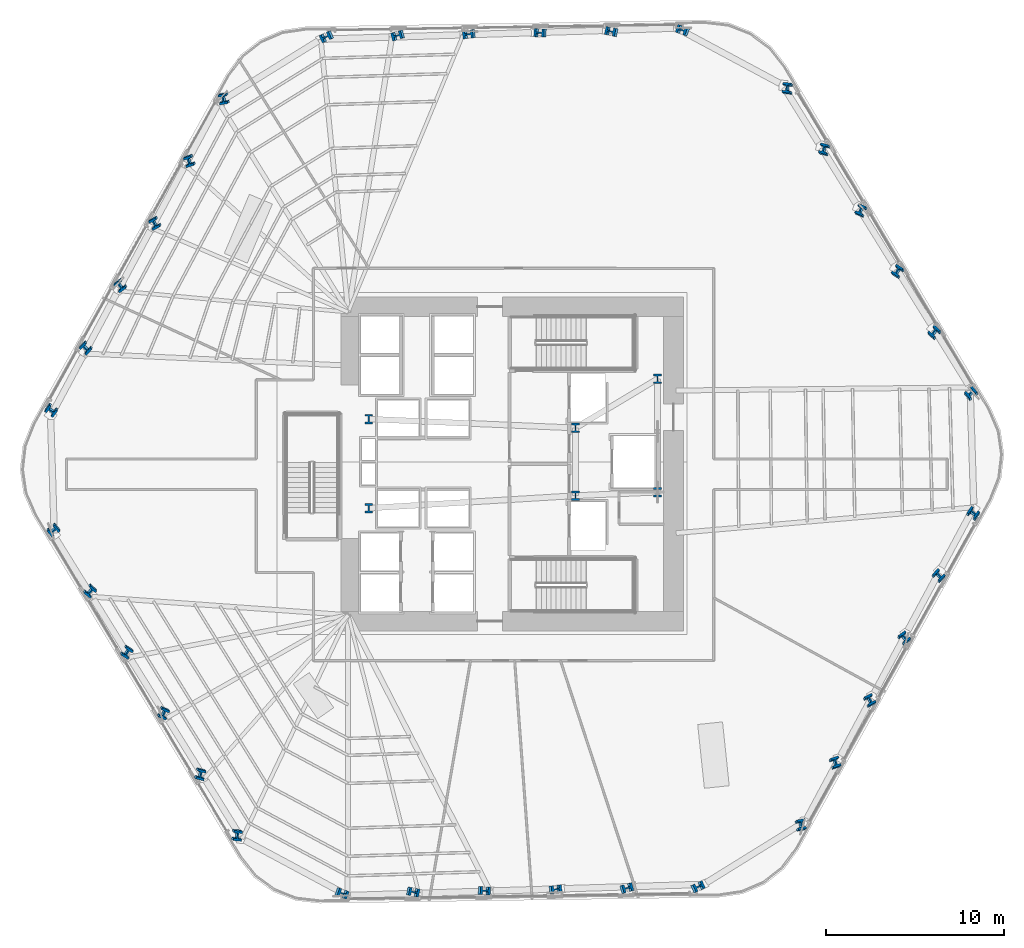
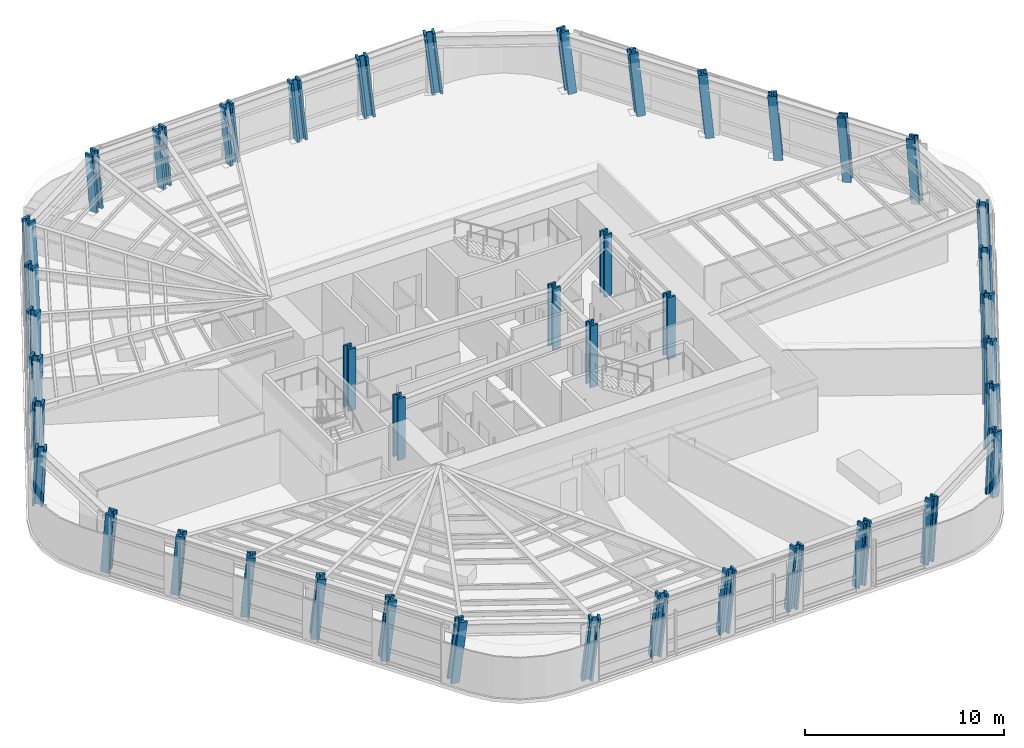
# One storey, part 1 of 15: 42 columns.
"""IFC4 building model written with IfcOpenShell, lengths in metres."""

from ifc_helpers import new_model, si_unit, direction, frame, origin, origin_2d, place, context, subcontext, project, spatial, i_section, extrude, material, material_profile, profile_set, type_object, element, save


model = new_model("IFC4")

# Units and contexts
model_context = context("Model", 3, precision=1e-05, world=origin(), true_north=direction((0.0, 1.0)))
body_context = subcontext(model_context, "Body", "Model", "MODEL_VIEW")
ifc_project = project(units=[si_unit("LENGTHUNIT", "METRE"), si_unit("AREAUNIT", "SQUARE_METRE"), si_unit("VOLUMEUNIT", "CUBIC_METRE"), si_unit("PLANEANGLEUNIT", "RADIAN"), si_unit("MASSUNIT", "GRAM", prefix="KILO")], contexts=[model_context])

# Site, building, storey
site_placement = place(None, origin())
site = spatial("IfcSite", under=ifc_project, at=site_placement, CompositionType="ELEMENT")
building_placement = place(site_placement, origin())
building = spatial("IfcBuilding", under=site, at=building_placement, Name="Valkerne Bourse Tower", CompositionType="ELEMENT")
storey_placement = place(building_placement, frame((0.0, 0.0, 27.800048828125)))
storey = spatial("IfcBuildingStorey", under=building, at=storey_placement, Name="L06", CompositionType="ELEMENT", Elevation=27.800048828125)

# Columns
ifc_material = material(Name="Steel ASTM A913 Grade 65", Category="steel")
ifc_material_profile_1 = material_profile(ifc_material, i_section(OverallWidth=0.44189453125, OverallDepth=0.531005859375, WebThickness=0.06591796875, FlangeThickness=0.105712890625, FilletRadius=0.030517578125, at=origin_2d()), Name="W14X605")
ifc_profile_set_1 = profile_set([ifc_material_profile_1], Name="Steel ASTM A913 Grade 65")
column_type_1 = type_object("IfcColumnType", Name="COL-W14X605", PredefinedType="COLUMN", material=ifc_profile_set_1)
for number, where, z_axis, x_axis, name in (
    (1, (38.75, 24.39990234375, 0.0048828125), (0.0, 0.0, 1.0), (1.0, 0.0, 0.0), "L06 Core Frame Column CC-SW"),
    (2, (38.75, 29.39990234375, 0.0048828125), (0.0, 0.0, 1.0), (1.0, 0.0, 0.0), "L06 Core Frame Column CC-NW"),
    (3, (50.35009765625, 25.10009765625, 0.0048828125), (0.0, 0.0, 1.0), (1.0, 0.0, 0.0), "L06 Core Frame Column CC-CE1"),
    (4, (50.35009765625, 28.89990234375, 0.0048828125), (0.0, 0.0, 1.0), (1.0, 0.0, 0.0), "L06 Core Frame Column CC-CE2"),
    (5, (54.949951171875, 25.300048828125, 0.0048828125), (0.0, 0.0, 1.0), (1.0, 0.0, 0.0), "L06 Core Frame Column CC-SE"),
    (6, (54.949951171875, 31.64990234375, 0.0048828125), (0.0, 0.0, 1.0), (1.0, 0.0, 0.0), "L06 Core Frame Column CC-NE"),
):
    element("IfcColumn", number, at=place(storey_placement, frame(where, z_axis=z_axis, x_axis=x_axis)), inside=storey, type_object=column_type_1, Name=name, PredefinedType="COLUMN", context=body_context, shape_type="SweptSolid", body=[
        extrude(i_section(OverallWidth=0.44189453125, OverallDepth=0.531005859375, WebThickness=0.06591796875, FlangeThickness=0.105712890625, FilletRadius=0.030517578125, at=origin_2d()), origin(), (0.0, 0.0, 1.0), 3.795166015625),
    ])
ifc_material_profile_2 = material_profile(ifc_material, i_section(OverallWidth=0.45458984375, OverallDepth=0.569091796875, WebThickness=0.077880859375, FlangeThickness=0.124755859375, FilletRadius=0.030517578125, at=origin_2d()), Name="W14X730")
ifc_profile_set_2 = profile_set([ifc_material_profile_2], Name="Steel ASTM A913 Grade 65")
column_type_2 = type_object("IfcColumnType", Name="COL-W14X730", PredefinedType="COLUMN", material=ifc_profile_set_2)
column_1_placement = place(storey_placement, frame((72.551513671875, 30.76953125, 0.010009765625), z_axis=(-0.0164341887, 0.106244462106, 0.994204220326), x_axis=(0.637913366221, -0.764563071091, 0.092248834791)))
element("IfcColumn", 7, at=column_1_placement, inside=storey, type_object=column_type_2, Name="L06 Helical Perimeter Tube Column F1-C1", PredefinedType="COLUMN", context=body_context, shape_type="SweptSolid", body=[
    extrude(i_section(OverallWidth=0.45458984375, OverallDepth=0.569091796875, WebThickness=0.077880859375, FlangeThickness=0.124755859375, FilletRadius=0.030517578125, at=origin_2d()), origin(), (0.0, 0.0, 1.0), 3.802978515625),
])
column_2_placement = place(storey_placement, frame((70.49951171875, 34.1982421875, 0.010009765625), z_axis=(-0.030573990362, 0.0976954608, 0.994746614999), x_axis=(0.745031911868, -0.661220004208, 0.087838239585)))
element("IfcColumn", 8, at=column_2_placement, inside=storey, type_object=column_type_2, Name="L06 Helical Perimeter Tube Column F1-C2", PredefinedType="COLUMN", context=body_context, shape_type="SweptSolid", body=[
    extrude(i_section(OverallWidth=0.45458984375, OverallDepth=0.569091796875, WebThickness=0.077880859375, FlangeThickness=0.124755859375, FilletRadius=0.030517578125, at=origin_2d()), origin(), (0.0, 0.0, 1.0), 3.801025390625),
])
for number, where, z_axis, x_axis, name in (
    (9, (68.447265625, 37.627197265625, 0.010009765625), (-0.044652868112, 0.08911299003, 0.995020098479), (0.841614055218, -0.533264365459, 0.085527180427), "L06 Helical Perimeter Tube Column F1-C3"),
    (10, (66.39501953125, 41.055908203125, 0.010009765625), (-0.058723204718, 0.080567722885, 0.995017802482), (0.917898765885, -0.387483667868, 0.085546845194), "L06 Helical Perimeter Tube Column F1-C4"),
):
    element("IfcColumn", number, at=place(storey_placement, frame(where, z_axis=z_axis, x_axis=x_axis)), inside=storey, type_object=column_type_2, Name=name, PredefinedType="COLUMN", context=body_context, shape_type="SweptSolid", body=[
        extrude(i_section(OverallWidth=0.45458984375, OverallDepth=0.569091796875, WebThickness=0.077880859375, FlangeThickness=0.124755859375, FilletRadius=0.030517578125, at=origin_2d()), origin(), (0.0, 0.0, 1.0), 3.800048828125),
    ])
column_3_placement = place(storey_placement, frame((64.343017578125, 44.48486328125, 0.010009765625), z_axis=(-0.072837984928, 0.071938750546, 0.994745919379), x_axis=(0.968158797173, -0.234418361417, 0.087844039567)))
element("IfcColumn", 11, at=column_3_placement, inside=storey, type_object=column_type_2, Name="L06 Helical Perimeter Tube Column F1-C5", PredefinedType="COLUMN", context=body_context, shape_type="SweptSolid", body=[
    extrude(i_section(OverallWidth=0.45458984375, OverallDepth=0.569091796875, WebThickness=0.077880859375, FlangeThickness=0.124755859375, FilletRadius=0.030517578125, at=origin_2d()), origin(), (0.0, 0.0, 1.0), 3.801025390625),
])
for number, where, z_axis, x_axis, name in (
    (12, (62.291015625, 47.91357421875, 0.010009765625), (-0.086921280843, 0.06329718088, 0.99420227209), (0.991921851053, -0.087053671013, 0.092264293016), "L06 Helical Perimeter Tube Column F1-C6"),
    (13, (56.411376953125, 51.186279296875, 0.010009765625), (-0.100210408223, 0.038838755269, 0.994207938599), (0.346773941279, 0.937947218075, -0.001688121947), "L06 Helical Perimeter Tube Column F2-C1"),
):
    element("IfcColumn", number, at=place(storey_placement, frame(where, z_axis=z_axis, x_axis=x_axis)), inside=storey, type_object=column_type_2, Name=name, PredefinedType="COLUMN", context=body_context, shape_type="SweptSolid", body=[
        extrude(i_section(OverallWidth=0.45458984375, OverallDepth=0.569091796875, WebThickness=0.077880859375, FlangeThickness=0.124755859375, FilletRadius=0.030517578125, at=origin_2d()), origin(), (0.0, 0.0, 1.0), 3.802978515625),
    ])
column_4_placement = place(storey_placement, frame((52.415771484375, 51.123291015625, 0.010009765625), z_axis=(-0.099879356607, 0.022416653026, 0.994747006927), x_axis=(0.203717011704, 0.979028494946, -0.001607864114)))
element("IfcColumn", 14, at=column_4_placement, inside=storey, type_object=column_type_2, Name="L06 Helical Perimeter Tube Column F2-C2", PredefinedType="COLUMN", context=body_context, shape_type="SweptSolid", body=[
    extrude(i_section(OverallWidth=0.45458984375, OverallDepth=0.569091796875, WebThickness=0.077880859375, FlangeThickness=0.124755859375, FilletRadius=0.030517578125, at=origin_2d()), origin(), (0.0, 0.0, 1.0), 3.801025390625),
])
for number, where, z_axis, x_axis, name in (
    (15, (48.42041015625, 51.060546875, 0.010009765625), (-0.09958467611, 0.005910832388, 0.99501153478), (0.043641747064, 0.999046016231, -0.001566961035), "L06 Helical Perimeter Tube Column F2-C3"),
    (16, (44.4248046875, 50.997802734375, 0.010009765625), (-0.099135530179, -0.010601012624, 0.99501746979), (-0.121855676769, 0.992546594164, -0.001566030943), "L06 Helical Perimeter Tube Column F2-C4"),
):
    element("IfcColumn", number, at=place(storey_placement, frame(where, z_axis=z_axis, x_axis=x_axis)), inside=storey, type_object=column_type_2, Name=name, PredefinedType="COLUMN", context=body_context, shape_type="SweptSolid", body=[
        extrude(i_section(OverallWidth=0.45458984375, OverallDepth=0.569091796875, WebThickness=0.077880859375, FlangeThickness=0.124755859375, FilletRadius=0.030517578125, at=origin_2d()), origin(), (0.0, 0.0, 1.0), 3.800048828125),
    ])
column_5_placement = place(storey_placement, frame((40.42919921875, 50.93505859375, 0.010009765625), z_axis=(-0.098659463557, -0.02710565991, 0.994752026111), x_axis=(-0.27995693741, 0.960011213702, -0.001607097803)))
element("IfcColumn", 17, at=column_5_placement, inside=storey, type_object=column_type_2, Name="L06 Helical Perimeter Tube Column F2-C5", PredefinedType="COLUMN", context=body_context, shape_type="SweptSolid", body=[
    extrude(i_section(OverallWidth=0.45458984375, OverallDepth=0.569091796875, WebThickness=0.077880859375, FlangeThickness=0.124755859375, FilletRadius=0.030517578125, at=origin_2d()), origin(), (0.0, 0.0, 1.0), 3.801025390625),
])
for number, where, z_axis, x_axis, name in (
    (18, (36.433837890625, 50.872314453125, 0.010009765625), (-0.098284062643, -0.043589078076, 0.994203316884), (-0.419643452941, 0.907687457433, -0.001688793366), "L06 Helical Perimeter Tube Column F2-C6"),
    (19, (30.659912109375, 47.416748046875, 0.010009765625), (-0.083839785802, -0.06734145123, 0.994201196571), (-0.981835406751, -0.164834433136, -0.093961926879), "L06 Helical Perimeter Tube Column F3-C1"),
):
    element("IfcColumn", number, at=place(storey_placement, frame(where, z_axis=z_axis, x_axis=x_axis)), inside=storey, type_object=column_type_2, Name=name, PredefinedType="COLUMN", context=body_context, shape_type="SweptSolid", body=[
        extrude(i_section(OverallWidth=0.45458984375, OverallDepth=0.569091796875, WebThickness=0.077880859375, FlangeThickness=0.124755859375, FilletRadius=0.030517578125, at=origin_2d()), origin(), (0.0, 0.0, 1.0), 3.802978515625),
    ])
column_6_placement = place(storey_placement, frame((28.71630859375, 43.925048828125, 0.010009765625), z_axis=(-0.069305640272, -0.075279156996, 0.994751112967), x_axis=(-0.946506187651, -0.310052016121, -0.089407964058)))
element("IfcColumn", 20, at=column_6_placement, inside=storey, type_object=column_type_2, Name="L06 Helical Perimeter Tube Column F3-C2", PredefinedType="COLUMN", context=body_context, shape_type="SweptSolid", body=[
    extrude(i_section(OverallWidth=0.45458984375, OverallDepth=0.569091796875, WebThickness=0.077880859375, FlangeThickness=0.124755859375, FilletRadius=0.030517578125, at=origin_2d()), origin(), (0.0, 0.0, 1.0), 3.801025390625),
])
column_7_placement = place(storey_placement, frame((26.77294921875, 40.43359375, 0.010009765625), z_axis=(-0.054868174238, -0.083265988071, 0.995015707759), x_axis=(-0.884476726026, -0.458376585795, -0.08713108925)))
element("IfcColumn", 21, at=column_7_placement, inside=storey, type_object=column_type_2, Name="L06 Helical Perimeter Tube Column F3-C3", PredefinedType="COLUMN", context=body_context, shape_type="SweptSolid", body=[
    extrude(i_section(OverallWidth=0.45458984375, OverallDepth=0.569091796875, WebThickness=0.077880859375, FlangeThickness=0.124755859375, FilletRadius=0.030517578125, at=origin_2d()), origin(), (0.0, 0.0, 1.0), 3.800048828125),
])
column_8_placement = place(storey_placement, frame((24.82958984375, 36.94189453125, 0.010009765625), z_axis=(-0.040348343533, -0.091105017723, 0.995023560987), x_axis=(-0.796743031567, -0.598013918523, -0.08706259187)))
element("IfcColumn", 22, at=column_8_placement, inside=storey, type_object=column_type_2, Name="L06 Helical Perimeter Tube Column F3-C4", PredefinedType="COLUMN", context=body_context, shape_type="SweptSolid", body=[
    extrude(i_section(OverallWidth=0.45458984375, OverallDepth=0.569091796875, WebThickness=0.077880859375, FlangeThickness=0.124755859375, FilletRadius=0.030517578125, at=origin_2d()), origin(), (0.0, 0.0, 1.0), 3.7998046875),
])
column_9_placement = place(storey_placement, frame((22.88623046875, 33.4501953125, 0.010009765625), z_axis=(-0.025885278385, -0.098980679877, 0.994752621195), x_axis=(-0.690424615028, -0.717859566933, -0.089395151579)))
element("IfcColumn", 23, at=column_9_placement, inside=storey, type_object=column_type_2, Name="L06 Helical Perimeter Tube Column F3-C5", PredefinedType="COLUMN", context=body_context, shape_type="SweptSolid", body=[
    extrude(i_section(OverallWidth=0.45458984375, OverallDepth=0.569091796875, WebThickness=0.077880859375, FlangeThickness=0.124755859375, FilletRadius=0.030517578125, at=origin_2d()), origin(), (0.0, 0.0, 1.0), 3.801025390625),
])
for number, where, z_axis, x_axis, name in (
    (24, (20.94287109375, 29.958740234375, 0.010009765625), (-0.011362724359, -0.106886644391, 0.994206283296), (-0.575442303485, -0.812431556404, -0.093920825798), "L06 Helical Perimeter Tube Column F3-C6"),
    (25, (21.048583984375, 23.23046875, 0.010009765625), (0.016370009888, -0.106244573976, 0.994205267174), (0.637462174359, -0.764940299203, -0.092240527516), "L06 Helical Perimeter Tube Column F4-C1"),
):
    element("IfcColumn", number, at=place(storey_placement, frame(where, z_axis=z_axis, x_axis=x_axis)), inside=storey, type_object=column_type_2, Name=name, PredefinedType="COLUMN", context=body_context, shape_type="SweptSolid", body=[
        extrude(i_section(OverallWidth=0.45458984375, OverallDepth=0.569091796875, WebThickness=0.077880859375, FlangeThickness=0.124755859375, FilletRadius=0.030517578125, at=origin_2d()), origin(), (0.0, 0.0, 1.0), 3.802978515625),
    ])
column_10_placement = place(storey_placement, frame((23.1005859375, 19.8017578125, 0.010009765625), z_axis=(0.030509819142, -0.097695652454, 0.994748566437), x_axis=(0.744636254864, -0.661667703689, -0.087821966706)))
element("IfcColumn", 26, at=column_10_placement, inside=storey, type_object=column_type_2, Name="L06 Helical Perimeter Tube Column F4-C2", PredefinedType="COLUMN", context=body_context, shape_type="SweptSolid", body=[
    extrude(i_section(OverallWidth=0.45458984375, OverallDepth=0.569091796875, WebThickness=0.077880859375, FlangeThickness=0.124755859375, FilletRadius=0.030517578125, at=origin_2d()), origin(), (0.0, 0.0, 1.0), 3.801025390625),
])
column_11_placement = place(storey_placement, frame((25.15283203125, 16.372802734375, 0.010009765625), z_axis=(0.044588747209, -0.089113245502, 0.995022951041), x_axis=(0.841307609523, -0.533751615638, -0.085502742423)))
element("IfcColumn", 27, at=column_11_placement, inside=storey, type_object=column_type_2, Name="L06 Helical Perimeter Tube Column F4-C3", PredefinedType="COLUMN", context=body_context, shape_type="SweptSolid", body=[
    extrude(i_section(OverallWidth=0.45458984375, OverallDepth=0.569091796875, WebThickness=0.077880859375, FlangeThickness=0.124755859375, FilletRadius=0.030517578125, at=origin_2d()), origin(), (0.0, 0.0, 1.0), 3.7998046875),
])
column_12_placement = place(storey_placement, frame((27.204833984375, 12.944091796875, 0.010009765625), z_axis=(0.058723204718, -0.080567722885, 0.995017802482), x_axis=(0.917898765885, -0.387483667868, -0.085546845194)))
element("IfcColumn", 28, at=column_12_placement, inside=storey, type_object=column_type_2, Name="L06 Helical Perimeter Tube Column F4-C4", PredefinedType="COLUMN", context=body_context, shape_type="SweptSolid", body=[
    extrude(i_section(OverallWidth=0.45458984375, OverallDepth=0.569091796875, WebThickness=0.077880859375, FlangeThickness=0.124755859375, FilletRadius=0.030517578125, at=origin_2d()), origin(), (0.0, 0.0, 1.0), 3.800048828125),
])
column_13_placement = place(storey_placement, frame((29.257080078125, 9.51513671875, 0.010009765625), z_axis=(0.072774094222, -0.071939086962, 0.994750571237), x_axis=(0.968058144481, -0.234848180192, -0.087805245658)))
element("IfcColumn", 29, at=column_13_placement, inside=storey, type_object=column_type_2, Name="L06 Helical Perimeter Tube Column F4-C5", PredefinedType="COLUMN", context=body_context, shape_type="SweptSolid", body=[
    extrude(i_section(OverallWidth=0.45458984375, OverallDepth=0.569091796875, WebThickness=0.077880859375, FlangeThickness=0.124755859375, FilletRadius=0.030517578125, at=origin_2d()), origin(), (0.0, 0.0, 1.0), 3.801025390625),
])
for number, where, z_axis, x_axis, name in (
    (30, (31.30908203125, 6.08642578125, 0.010009765625), (0.086857569406, -0.06329753395, 0.994207817729), (0.991895025543, -0.087405248408, -0.092220284399), "L06 Helical Perimeter Tube Column F4-C6"),
    (31, (37.188720703125, 2.813720703125, 0.010009765625), (0.100210408223, -0.038838755269, 0.994207938599), (0.346773941279, 0.937947218075, 0.001688121947), "L06 Helical Perimeter Tube Column F5-C1"),
):
    element("IfcColumn", number, at=place(storey_placement, frame(where, z_axis=z_axis, x_axis=x_axis)), inside=storey, type_object=column_type_2, Name=name, PredefinedType="COLUMN", context=body_context, shape_type="SweptSolid", body=[
        extrude(i_section(OverallWidth=0.45458984375, OverallDepth=0.569091796875, WebThickness=0.077880859375, FlangeThickness=0.124755859375, FilletRadius=0.030517578125, at=origin_2d()), origin(), (0.0, 0.0, 1.0), 3.802978515625),
    ])
column_14_placement = place(storey_placement, frame((41.18408203125, 2.876708984375, 0.010009765625), z_axis=(0.099879356607, -0.022416653026, 0.994747006927), x_axis=(0.203717011704, 0.979028494946, 0.001607864114)))
element("IfcColumn", 32, at=column_14_placement, inside=storey, type_object=column_type_2, Name="L06 Helical Perimeter Tube Column F5-C2", PredefinedType="COLUMN", context=body_context, shape_type="SweptSolid", body=[
    extrude(i_section(OverallWidth=0.45458984375, OverallDepth=0.569091796875, WebThickness=0.077880859375, FlangeThickness=0.124755859375, FilletRadius=0.030517578125, at=origin_2d()), origin(), (0.0, 0.0, 1.0), 3.801025390625),
])
for number, where, z_axis, x_axis, name in (
    (33, (45.1796875, 2.939453125, 0.010009765625), (0.099521064477, -0.005910870195, 0.995017899004), (0.043679794375, 0.999044355032, 0.001565963658), "L06 Helical Perimeter Tube Column F5-C3"),
    (34, (49.17529296875, 3.002197265625, 0.010009765625), (0.099135530179, 0.010601012624, 0.99501746979), (-0.121855676769, 0.992546594164, 0.001566030943), "L06 Helical Perimeter Tube Column F5-C4"),
):
    element("IfcColumn", number, at=place(storey_placement, frame(where, z_axis=z_axis, x_axis=x_axis)), inside=storey, type_object=column_type_2, Name=name, PredefinedType="COLUMN", context=body_context, shape_type="SweptSolid", body=[
        extrude(i_section(OverallWidth=0.45458984375, OverallDepth=0.569091796875, WebThickness=0.077880859375, FlangeThickness=0.124755859375, FilletRadius=0.030517578125, at=origin_2d()), origin(), (0.0, 0.0, 1.0), 3.800048828125),
    ])
column_15_placement = place(storey_placement, frame((53.170654296875, 3.06494140625, 0.010009765625), z_axis=(0.098723069165, 0.027105488086, 0.994745720338), x_axis=(-0.279797272008, 0.960057759053, 0.001608060487)))
element("IfcColumn", 35, at=column_15_placement, inside=storey, type_object=column_type_2, Name="L06 Helical Perimeter Tube Column F5-C5", PredefinedType="COLUMN", context=body_context, shape_type="SweptSolid", body=[
    extrude(i_section(OverallWidth=0.45458984375, OverallDepth=0.569091796875, WebThickness=0.077880859375, FlangeThickness=0.124755859375, FilletRadius=0.030517578125, at=origin_2d()), origin(), (0.0, 0.0, 1.0), 3.801025390625),
])
for number, where, z_axis, x_axis, name in (
    (36, (57.166259765625, 3.127685546875, 0.010009765625), (0.098220486168, 0.043589353012, 0.994209587764), (-0.41986337234, 0.907585753315, 0.0016878823), "L06 Helical Perimeter Tube Column F5-C6"),
    (37, (62.940185546875, 6.583251953125, 0.010009765625), (0.083776040673, 0.067341813537, 0.994206545522), (-0.981777330986, -0.165204566917, 0.093918706504), "L06 Helical Perimeter Tube Column F6-C1"),
):
    element("IfcColumn", number, at=place(storey_placement, frame(where, z_axis=z_axis, x_axis=x_axis)), inside=storey, type_object=column_type_2, Name=name, PredefinedType="COLUMN", context=body_context, shape_type="SweptSolid", body=[
        extrude(i_section(OverallWidth=0.45458984375, OverallDepth=0.569091796875, WebThickness=0.077880859375, FlangeThickness=0.124755859375, FilletRadius=0.030517578125, at=origin_2d()), origin(), (0.0, 0.0, 1.0), 3.802978515625),
    ])
column_16_placement = place(storey_placement, frame((64.883544921875, 10.074951171875, 0.010009765625), z_axis=(0.069369562687, 0.075278821731, 0.994746682714), x_axis=(-0.946646588699, -0.30961221357, 0.089445588565)))
element("IfcColumn", 38, at=column_16_placement, inside=storey, type_object=column_type_2, Name="L06 Helical Perimeter Tube Column F6-C2", PredefinedType="COLUMN", context=body_context, shape_type="SweptSolid", body=[
    extrude(i_section(OverallWidth=0.45458984375, OverallDepth=0.569091796875, WebThickness=0.077880859375, FlangeThickness=0.124755859375, FilletRadius=0.030517578125, at=origin_2d()), origin(), (0.0, 0.0, 1.0), 3.801025390625),
])
column_17_placement = place(storey_placement, frame((66.826904296875, 13.56640625, 0.010009765625), z_axis=(0.054868174238, 0.083265988071, 0.995015707759), x_axis=(-0.884476726026, -0.458376585795, 0.08713108925)))
element("IfcColumn", 39, at=column_17_placement, inside=storey, type_object=column_type_2, Name="L06 Helical Perimeter Tube Column F6-C3", PredefinedType="COLUMN", context=body_context, shape_type="SweptSolid", body=[
    extrude(i_section(OverallWidth=0.45458984375, OverallDepth=0.569091796875, WebThickness=0.077880859375, FlangeThickness=0.124755859375, FilletRadius=0.030517578125, at=origin_2d()), origin(), (0.0, 0.0, 1.0), 3.800048828125),
])
column_18_placement = place(storey_placement, frame((68.7705078125, 17.05810546875, 0.010009765625), z_axis=(0.040348343533, 0.091105017723, 0.995023560987), x_axis=(-0.796743031567, -0.598013918523, 0.08706259187)))
element("IfcColumn", 40, at=column_18_placement, inside=storey, type_object=column_type_2, Name="L06 Helical Perimeter Tube Column F6-C4", PredefinedType="COLUMN", context=body_context, shape_type="SweptSolid", body=[
    extrude(i_section(OverallWidth=0.45458984375, OverallDepth=0.569091796875, WebThickness=0.077880859375, FlangeThickness=0.124755859375, FilletRadius=0.030517578125, at=origin_2d()), origin(), (0.0, 0.0, 1.0), 3.7998046875),
])
column_19_placement = place(storey_placement, frame((70.7138671875, 20.5498046875, 0.010009765625), z_axis=(0.025821089803, 0.098980844244, 0.994754273072), x_axis=(-0.689988762932, -0.718280253808, 0.089381116667)))
element("IfcColumn", 41, at=column_19_placement, inside=storey, type_object=column_type_2, Name="L06 Helical Perimeter Tube Column F6-C5", PredefinedType="COLUMN", context=body_context, shape_type="SweptSolid", body=[
    extrude(i_section(OverallWidth=0.45458984375, OverallDepth=0.569091796875, WebThickness=0.077880859375, FlangeThickness=0.124755859375, FilletRadius=0.030517578125, at=origin_2d()), origin(), (0.0, 0.0, 1.0), 3.801025390625),
])
column_20_placement = place(storey_placement, frame((72.6572265625, 24.041259765625, 0.010009765625), z_axis=(0.011362724359, 0.106886644391, 0.994206283296), x_axis=(-0.575442303485, -0.812431556404, 0.093920825798)))
element("IfcColumn", 42, at=column_20_placement, inside=storey, type_object=column_type_2, Name="L06 Helical Perimeter Tube Column F6-C6", PredefinedType="COLUMN", context=body_context, shape_type="SweptSolid", body=[
    extrude(i_section(OverallWidth=0.45458984375, OverallDepth=0.569091796875, WebThickness=0.077880859375, FlangeThickness=0.124755859375, FilletRadius=0.030517578125, at=origin_2d()), origin(), (0.0, 0.0, 1.0), 3.802978515625),
])

save(model, "model.ifc")
